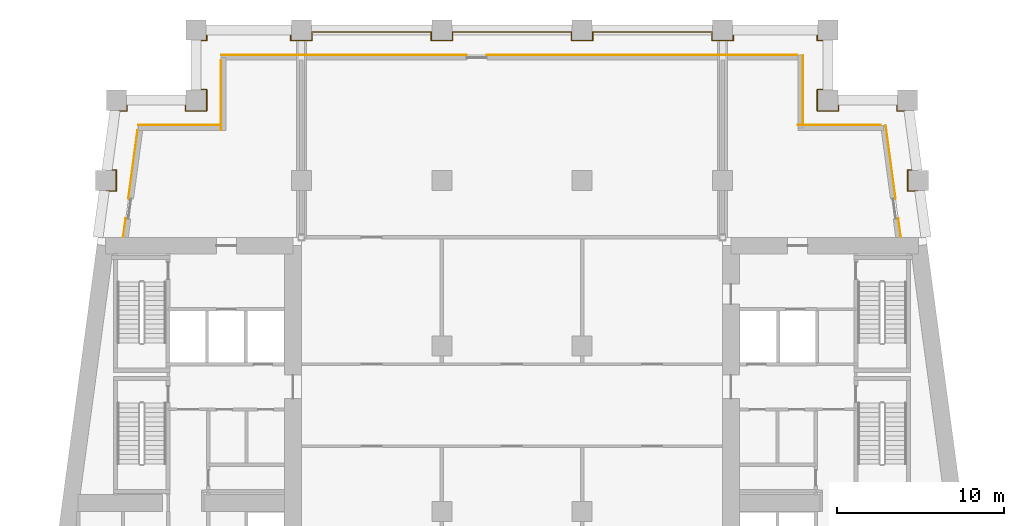
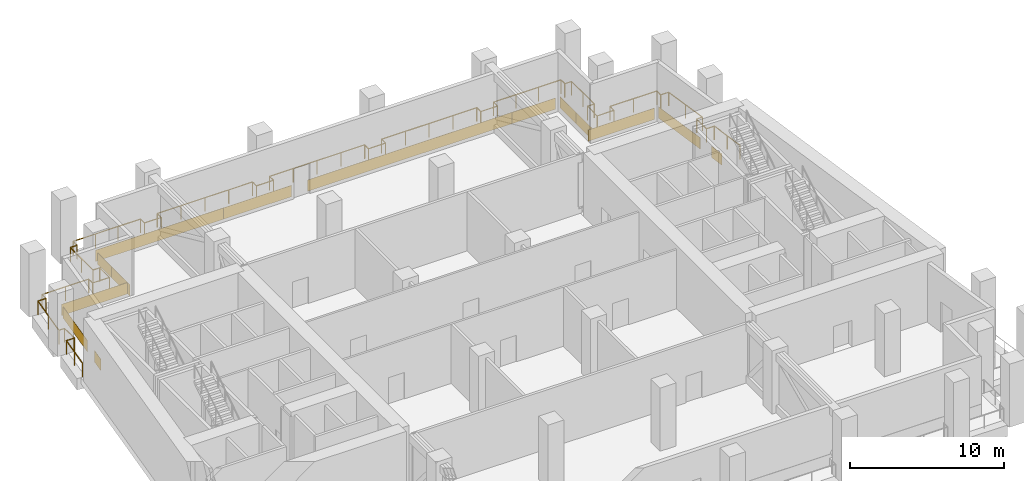
# One storey, part 11 of 11: 14 coverings, 1 railing.
"""IFC4 building model written with IfcOpenShell, lengths in metres."""

import ifcopenshell
import ifcopenshell.guid

model = None  # the IFC model being written
_history = None  # IfcOwnerHistory: only IFC2X3 demands one
_inside = {}  # id of a spatial element -> (the spatial element, [elements in it])
_under = {}  # id of a project, library or spatial element -> (it, [spatial elements below it])
_declared = {}  # id of a project -> (the project, [libraries it declares])
_typed = {}  # id of a type object -> (the type object, [elements of that type])
_made_of = {}  # id of a material, layer set ... -> (it, [elements and type objects made of it])


def new_model(schema):
    """Start an empty IFC model of exactly this schema.

    Asked for "IFC4X3", IfcOpenShell would pick the latest addendum, in which some entities
    have other attributes; the version numbers below select the first issue.
    IFC2X3 requires an IfcOwnerHistory on every rooted entity: one is made here for all.
    """
    global model, _history
    if schema == "IFC4X3":
        model = ifcopenshell.file(schema_version=(4, 3, 0, 0))
    else:
        model = ifcopenshell.file(schema=schema)
    _inside.clear()
    _under.clear()
    _declared.clear()
    _typed.clear()
    _made_of.clear()
    _history = None
    if model.schema == "IFC2X3":
        org = make("IfcOrganization", Name="unknown")
        user = make(
            "IfcPersonAndOrganization",
            ThePerson=make("IfcPerson", FamilyName="unknown"),
            TheOrganization=org,
        )
        app = make(
            "IfcApplication",
            ApplicationDeveloper=org,
            Version="unknown",
            ApplicationFullName="unknown",
            ApplicationIdentifier="unknown",
        )
        _history = make(
            "IfcOwnerHistory",
            OwningUser=user,
            OwningApplication=app,
            ChangeAction="ADDED",
            CreationDate=0,
        )
    return model


def make(cls, **values):
    """One entity of the class cls with the attributes given. An attribute that is None is left unset."""
    return model.create_entity(
        cls, **{name: value for name, value in values.items() if value is not None}
    )


def rooted(cls, **values):
    """An entity with a GlobalId (a new one), such as an element, a storey or a relation."""
    return make(cls, GlobalId=ifcopenshell.guid.new(), OwnerHistory=_history, **values)


def si_unit(unit_type, name, prefix=None):
    """IfcSIUnit, for example si_unit("LENGTHUNIT", "METRE", prefix="MILLI")."""
    return make("IfcSIUnit", UnitType=unit_type, Prefix=prefix, Name=name)


def assignment(units):
    """IfcUnitAssignment: the units of a project."""
    return None if units is None else make("IfcUnitAssignment", Units=units)


def point(xyz):
    """IfcCartesianPoint."""
    return None if xyz is None else make("IfcCartesianPoint", Coordinates=xyz)


def direction(xyz):
    """IfcDirection."""
    return None if xyz is None else make("IfcDirection", DirectionRatios=xyz)


def frame(location, z_axis=None, x_axis=None):
    """IfcAxis2Placement3D, a coordinate frame: its origin and axes. An axis left out is left unset."""
    return make(
        "IfcAxis2Placement3D",
        Location=point(location),
        Axis=direction(z_axis),
        RefDirection=direction(x_axis),
    )


def frame_2d(location, x_axis=None):
    """IfcAxis2Placement2D, a coordinate frame in the plane: its origin and x axis."""
    return make(
        "IfcAxis2Placement2D", Location=point(location), RefDirection=direction(x_axis)
    )


def origin():
    """The frame at (0, 0, 0) with its axes left unset."""
    return frame((0.0, 0.0, 0.0))


def origin_2d():
    """The frame at (0, 0) in the plane with its x axis left unset."""
    return frame_2d((0.0, 0.0))


def place(relative_to, where):
    """IfcLocalPlacement: puts the frame where relative to a parent placement (None: the world)."""
    return make(
        "IfcLocalPlacement", PlacementRelTo=relative_to, RelativePlacement=where
    )


def context(
    kind, dimensions, precision=None, world=None, true_north=None, identifier=None
):
    """IfcGeometricRepresentationContext, for example the 3D "Model" context."""
    return make(
        "IfcGeometricRepresentationContext",
        ContextIdentifier=identifier,
        ContextType=kind,
        CoordinateSpaceDimension=dimensions,
        Precision=precision,
        WorldCoordinateSystem=world,
        TrueNorth=true_north,
    )


def subcontext(parent, identifier, kind, view, scale=None):
    """IfcGeometricRepresentationSubContext, for example "Body" below "Model"."""
    return make(
        "IfcGeometricRepresentationSubContext",
        ContextIdentifier=identifier,
        ContextType=kind,
        ParentContext=parent,
        TargetScale=scale,
        TargetView=view,
    )


def project(units=None, contexts=None):
    """IfcProject with its units and contexts."""
    return rooted(
        "IfcProject",
        Name="project",
        RepresentationContexts=contexts,
        UnitsInContext=assignment(units),
    )


def spatial(cls, under=None, at=None, **own):
    """A site, building, storey or space (cls), placed at a placement, below another one or the project."""
    s = rooted(cls, ObjectPlacement=at, **own)
    if under is not None:
        _under.setdefault(under.id(), (under, []))[1].append(s)
    return s


def profile(cls, at=None, kind="AREA", **sizes):
    """A parametric profile (cls). Its sizes go by their IFC names, for example OverallWidth=200.0."""
    return make(cls, ProfileType=kind, Position=at, **sizes)


def rectangle(**sizes):
    """IfcRectangleProfileDef."""
    return profile("IfcRectangleProfileDef", **sizes)


def circle(**sizes):
    """IfcCircleProfileDef."""
    return profile("IfcCircleProfileDef", **sizes)


def extrude(swept, where, along, depth):
    """IfcExtrudedAreaSolid: the profile swept, set in the frame where, extruded along a direction by depth."""
    return make(
        "IfcExtrudedAreaSolid",
        SweptArea=swept,
        Position=where,
        ExtrudedDirection=direction(along),
        Depth=depth,
    )


def shape(context_of_items, identifier, shape_type, items):
    """IfcShapeRepresentation: the items that make up one representation, for example the "Body"."""
    return make(
        "IfcShapeRepresentation",
        ContextOfItems=context_of_items,
        RepresentationIdentifier=identifier,
        RepresentationType=shape_type,
        Items=items,
    )


def material(Name=None, Category=None):
    """IfcMaterial."""
    return make("IfcMaterial", Name=Name, Category=Category)


def layer(
    of_material, thickness, ventilated=None, Name=None, Category=None, Priority=None
):
    """IfcMaterialLayer: one layer of a wall or slab, of a material (None: an air gap)."""
    return make(
        "IfcMaterialLayer",
        Material=of_material,
        LayerThickness=thickness,
        IsVentilated=ventilated,
        Name=Name,
        Category=Category,
        Priority=Priority,
    )


def layer_set(layers, Name=None):
    """IfcMaterialLayerSet."""
    return make("IfcMaterialLayerSet", MaterialLayers=layers, LayerSetName=Name)


def made_of(thing, what):
    """Note that an element or type object is made of a material, layer set ...; save() writes the relation."""
    if what is not None:
        _made_of.setdefault(what.id(), (what, []))[1].append(thing)
    return thing


def type_object(cls, material=None, **own):
    """A type object (cls), such as IfcWallType, which elements share."""
    return made_of(rooted(cls, **own), material)


def element(
    cls,
    number,
    at=None,
    inside=None,
    cuts=None,
    type_object=None,
    material=None,
    context=None,
    identifier="Body",
    shape_type=None,
    held_by="IfcProductDefinitionShape",
    body=None,
    shapes=None,
    **own,
):
    """One element of the class cls, such as IfcWall. Its Tag is "e" and its number.

    at: its placement. inside: the storey or other place that contains it. cuts: it is an
    opening in that element (IfcRelVoidsElement). A single representation is given by context,
    identifier, shape_type and body (its items); several are given by shapes. held_by: the class
    of the entity that holds the representations. save() writes the other relations.
    """
    e = rooted(cls, Tag="e%d" % number, ObjectPlacement=at, **own)
    if body is not None:
        shapes = [shape(context, identifier, shape_type, body)]
    if shapes is not None:
        e.Representation = make(held_by, Representations=shapes)
    if inside is not None:
        _inside.setdefault(inside.id(), (inside, []))[1].append(e)
    if cuts is not None:
        rooted(
            "IfcRelVoidsElement", RelatingBuildingElement=cuts, RelatedOpeningElement=e
        )
    if type_object is not None:
        _typed.setdefault(type_object.id(), (type_object, []))[1].append(e)
    return made_of(e, material)


def aggregate(whole, parts):
    """IfcRelAggregates: a whole, such as a stair, and the parts it consists of."""
    return rooted("IfcRelAggregates", RelatingObject=whole, RelatedObjects=parts)


def save(model, path):
    """Write the relations noted so far, then the file.

    IfcRelAggregates (storeys below a building ...), IfcRelContainedInSpatialStructure (elements
    in a storey), IfcRelDefinesByType, IfcRelAssociatesMaterial and IfcRelDeclares: one each for
    every whole, place, type object, material and project.
    """
    for whole, parts in _under.values():
        aggregate(whole, parts)
    for where, things in _inside.values():
        rooted(
            "IfcRelContainedInSpatialStructure",
            RelatedElements=things,
            RelatingStructure=where,
        )
    for kind, things in _typed.values():
        rooted("IfcRelDefinesByType", RelatedObjects=things, RelatingType=kind)
    for what, things in _made_of.values():
        rooted("IfcRelAssociatesMaterial", RelatedObjects=things, RelatingMaterial=what)
    for by, libraries in _declared.values():
        rooted("IfcRelDeclares", RelatingContext=by, RelatedDefinitions=libraries)
    model.write(path)


model = new_model("IFC4")

# Units and contexts
model_context = context("Model", 3, precision=1e-05, world=origin(), true_north=direction((0.0, 1.0)))
body_context = subcontext(model_context, "Body", "Model", "MODEL_VIEW")
ifc_project = project(units=[si_unit("LENGTHUNIT", "METRE"), si_unit("AREAUNIT", "SQUARE_METRE"), si_unit("VOLUMEUNIT", "CUBIC_METRE"), si_unit("PLANEANGLEUNIT", "RADIAN"), si_unit("MASSUNIT", "GRAM", prefix="KILO")], contexts=[model_context])

# Site, building, storey
site_placement = place(None, origin())
site = spatial("IfcSite", under=ifc_project, at=site_placement, CompositionType="ELEMENT")
building_placement = place(site_placement, origin())
building = spatial("IfcBuilding", under=site, at=building_placement, Name="Candeia Pilgrim Tower and Theatre", CompositionType="ELEMENT")
storey_placement = place(building_placement, frame((0.0, 0.0, 142.800048828125)))
storey = spatial("IfcBuildingStorey", under=building, at=storey_placement, Name="L33", CompositionType="ELEMENT", Elevation=142.800048828125)

# Railing
ifc_material_1 = material(Name="Stainless steel balustrade", Category="steel")
railing_type = type_object("IfcRailingType", Name="G1 loggia guard 1100", PredefinedType="GUARDRAIL", material=ifc_material_1)
railing_placement = place(storey_placement, frame((88.758544921875, 132.449951171875, 0.0)))
element("IfcRailing", 1, at=railing_placement, inside=storey, type_object=railing_type, Name="Guard L33.2", PredefinedType="GUARDRAIL", context=body_context, shape_type="SweptSolid", body=[
    extrude(circle(Radius=0.02392578125, at=origin_2d()), frame((0.0, 0.0, 1.076171875), z_axis=(0.133433855259, 0.991057720958, 0.0), x_axis=(-0.991057720958, 0.133433855259, 0.0)), (0.0, 0.0, 1.0), 2.74462890625),
    extrude(circle(Radius=0.02392578125, at=origin_2d()), frame((0.3662109375, 2.719970703125, 1.076171875), z_axis=(1.0, 0.0, 0.0), x_axis=(0.0, 1.0, 0.0)), (0.0, 0.0, 1.0), 0.59375),
    extrude(circle(Radius=0.02392578125, at=origin_2d()), frame((0.9599609375, 2.719970703125, 1.076171875), z_axis=(0.0, 1.0, 0.0), x_axis=(-1.0, 0.0, 0.0)), (0.0, 0.0, 1.0), 1.260009765625),
    extrude(circle(Radius=0.02392578125, at=origin_2d()), frame((0.9599609375, 3.97998046875, 1.076171875), z_axis=(-1.0, 0.0, 0.0), x_axis=(0.0, -1.0, 0.0)), (0.0, 0.0, 1.0), 0.424072265625),
    extrude(circle(Radius=0.02392578125, at=origin_2d()), frame((0.535888671875, 3.97998046875, 1.076171875), z_axis=(0.133417176173, 0.991059966451, 0.0), x_axis=(-0.991059966451, 0.133417176173, 0.0)), (0.0, 0.0, 1.0), 3.572021484375),
    extrude(circle(Radius=0.02392578125, at=origin_2d()), frame((1.012451171875, 7.52001953125, 1.076171875), z_axis=(1.0, 0.0, 0.0), x_axis=(0.0, 1.0, 0.0)), (0.0, 0.0, 1.0), 0.593505859375),
    extrude(circle(Radius=0.02392578125, at=origin_2d()), frame((1.60595703125, 7.52001953125, 1.076171875), z_axis=(0.0, 1.0, 0.0), x_axis=(-1.0, 0.0, 0.0)), (0.0, 0.0, 1.0), 0.510009765625),
    extrude(circle(Radius=0.02392578125, at=origin_2d()), frame((1.60595703125, 8.030029296875, 1.076171875), z_axis=(1.0, 0.0, 0.0), x_axis=(0.0, 1.0, 0.0)), (0.0, 0.0, 1.0), 3.505615234375),
    extrude(circle(Radius=0.02392578125, at=origin_2d()), frame((5.111572265625, 8.030029296875, 1.076171875), z_axis=(0.0, -1.0, 0.0), x_axis=(1.0, 0.0, 0.0)), (0.0, 0.0, 1.0), 0.510009765625),
    extrude(circle(Radius=0.02392578125, at=origin_2d()), frame((5.111572265625, 7.52001953125, 1.076171875), z_axis=(1.0, 0.0, 0.0), x_axis=(0.0, 1.0, 0.0)), (0.0, 0.0, 1.0), 1.259765625),
    extrude(circle(Radius=0.02392578125, at=origin_2d()), frame((6.371337890625, 7.52001953125, 1.076171875), z_axis=(0.0, 1.0, 0.0), x_axis=(-1.0, 0.0, 0.0)), (0.0, 0.0, 1.0), 1.260009765625),
    extrude(circle(Radius=0.02392578125, at=origin_2d()), frame((6.371337890625, 8.780029296875, 1.076171875), z_axis=(-1.0, 0.0, 0.0), x_axis=(0.0, -1.0, 0.0)), (0.0, 0.0, 1.0), 0.509765625),
    extrude(circle(Radius=0.02392578125, at=origin_2d()), frame((5.861572265625, 8.780029296875, 1.076171875), z_axis=(0.0, 1.0, 0.0), x_axis=(-1.0, 0.0, 0.0)), (0.0, 0.0, 1.0), 2.93994140625),
    extrude(circle(Radius=0.02392578125, at=origin_2d()), frame((5.861572265625, 11.719970703125, 1.076171875), z_axis=(1.0, 0.0, 0.0), x_axis=(0.0, 1.0, 0.0)), (0.0, 0.0, 1.0), 0.509765625),
    extrude(circle(Radius=0.02392578125, at=origin_2d()), frame((6.371337890625, 11.719970703125, 1.076171875), z_axis=(0.0, 1.0, 0.0), x_axis=(-1.0, 0.0, 0.0)), (0.0, 0.0, 1.0), 0.510009765625),
    extrude(circle(Radius=0.02392578125, at=origin_2d()), frame((6.371337890625, 12.22998046875, 1.076171875), z_axis=(1.0, 0.0, 0.0), x_axis=(0.0, 1.0, 0.0)), (0.0, 0.0, 1.0), 5.0400390625),
    extrude(circle(Radius=0.02392578125, at=origin_2d()), frame((11.411376953125, 12.22998046875, 1.076171875), z_axis=(0.0, -1.0, 0.0), x_axis=(1.0, 0.0, 0.0)), (0.0, 0.0, 1.0), 0.510009765625),
    extrude(circle(Radius=0.02392578125, at=origin_2d()), frame((11.411376953125, 11.719970703125, 1.076171875), z_axis=(1.0, 0.0, 0.0), x_axis=(0.0, 1.0, 0.0)), (0.0, 0.0, 1.0), 1.260009765625),
    extrude(circle(Radius=0.02392578125, at=origin_2d()), frame((12.67138671875, 11.719970703125, 1.076171875), z_axis=(0.0, 1.0, 0.0), x_axis=(-1.0, 0.0, 0.0)), (0.0, 0.0, 1.0), 0.510009765625),
    extrude(circle(Radius=0.02392578125, at=origin_2d()), frame((12.67138671875, 12.22998046875, 1.076171875), z_axis=(1.0, 0.0, 0.0), x_axis=(0.0, 1.0, 0.0)), (0.0, 0.0, 1.0), 7.14013671875),
    extrude(circle(Radius=0.02392578125, at=origin_2d()), frame((19.8115234375, 12.22998046875, 1.076171875), z_axis=(0.0, -1.0, 0.0), x_axis=(1.0, 0.0, 0.0)), (0.0, 0.0, 1.0), 0.510009765625),
    extrude(circle(Radius=0.02392578125, at=origin_2d()), frame((19.8115234375, 11.719970703125, 1.076171875), z_axis=(1.0, 0.0, 0.0), x_axis=(0.0, 1.0, 0.0)), (0.0, 0.0, 1.0), 1.260009765625),
    extrude(circle(Radius=0.02392578125, at=origin_2d()), frame((21.071533203125, 11.719970703125, 1.076171875), z_axis=(0.0, 1.0, 0.0), x_axis=(-1.0, 0.0, 0.0)), (0.0, 0.0, 1.0), 0.510009765625),
    extrude(circle(Radius=0.02392578125, at=origin_2d()), frame((21.071533203125, 12.22998046875, 1.076171875), z_axis=(1.0, 0.0, 0.0), x_axis=(0.0, 1.0, 0.0)), (0.0, 0.0, 1.0), 7.139892578125),
    extrude(circle(Radius=0.02392578125, at=origin_2d()), frame((28.21142578125, 12.22998046875, 1.076171875), z_axis=(0.0, -1.0, 0.0), x_axis=(1.0, 0.0, 0.0)), (0.0, 0.0, 1.0), 0.510009765625),
    extrude(circle(Radius=0.02392578125, at=origin_2d()), frame((28.21142578125, 11.719970703125, 1.076171875), z_axis=(1.0, 0.0, 0.0), x_axis=(0.0, 1.0, 0.0)), (0.0, 0.0, 1.0), 1.260009765625),
    extrude(circle(Radius=0.02392578125, at=origin_2d()), frame((29.471435546875, 11.719970703125, 1.076171875), z_axis=(0.0, 1.0, 0.0), x_axis=(-1.0, 0.0, 0.0)), (0.0, 0.0, 1.0), 0.510009765625),
    extrude(circle(Radius=0.02392578125, at=origin_2d()), frame((29.471435546875, 12.22998046875, 1.076171875), z_axis=(1.0, 0.0, 0.0), x_axis=(0.0, 1.0, 0.0)), (0.0, 0.0, 1.0), 7.14013671875),
    extrude(circle(Radius=0.02392578125, at=origin_2d()), frame((36.611572265625, 12.22998046875, 1.076171875), z_axis=(0.0, -1.0, 0.0), x_axis=(1.0, 0.0, 0.0)), (0.0, 0.0, 1.0), 0.510009765625),
    extrude(circle(Radius=0.02392578125, at=origin_2d()), frame((36.611572265625, 11.719970703125, 1.076171875), z_axis=(1.0, 0.0, 0.0), x_axis=(0.0, 1.0, 0.0)), (0.0, 0.0, 1.0), 1.259765625),
    extrude(circle(Radius=0.02392578125, at=origin_2d()), frame((37.871337890625, 11.719970703125, 1.076171875), z_axis=(0.0, 1.0, 0.0), x_axis=(-1.0, 0.0, 0.0)), (0.0, 0.0, 1.0), 0.510009765625),
    extrude(circle(Radius=0.02392578125, at=origin_2d()), frame((37.871337890625, 12.22998046875, 1.076171875), z_axis=(1.0, 0.0, 0.0), x_axis=(0.0, 1.0, 0.0)), (0.0, 0.0, 1.0), 5.0400390625),
    extrude(circle(Radius=0.02392578125, at=origin_2d()), frame((42.911376953125, 12.22998046875, 1.076171875), z_axis=(0.0, -1.0, 0.0), x_axis=(1.0, 0.0, 0.0)), (0.0, 0.0, 1.0), 0.510009765625),
    extrude(circle(Radius=0.02392578125, at=origin_2d()), frame((42.911376953125, 11.719970703125, 1.076171875), z_axis=(1.0, 0.0, 0.0), x_axis=(0.0, 1.0, 0.0)), (0.0, 0.0, 1.0), 0.510009765625),
    extrude(circle(Radius=0.02392578125, at=origin_2d()), frame((43.42138671875, 11.719970703125, 1.076171875), z_axis=(0.0, -1.0, 0.0), x_axis=(1.0, 0.0, 0.0)), (0.0, 0.0, 1.0), 2.93994140625),
    extrude(circle(Radius=0.02392578125, at=origin_2d()), frame((43.42138671875, 8.780029296875, 1.076171875), z_axis=(-1.0, 0.0, 0.0), x_axis=(0.0, -1.0, 0.0)), (0.0, 0.0, 1.0), 0.510009765625),
    extrude(circle(Radius=0.02392578125, at=origin_2d()), frame((42.911376953125, 8.780029296875, 1.076171875), z_axis=(0.0, -1.0, 0.0), x_axis=(1.0, 0.0, 0.0)), (0.0, 0.0, 1.0), 1.260009765625),
    extrude(circle(Radius=0.02392578125, at=origin_2d()), frame((42.911376953125, 7.52001953125, 1.076171875), z_axis=(1.0, 0.0, 0.0), x_axis=(0.0, 1.0, 0.0)), (0.0, 0.0, 1.0), 1.260009765625),
    extrude(circle(Radius=0.02392578125, at=origin_2d()), frame((44.17138671875, 7.52001953125, 1.076171875), z_axis=(0.0, 1.0, 0.0), x_axis=(-1.0, 0.0, 0.0)), (0.0, 0.0, 1.0), 0.510009765625),
    extrude(circle(Radius=0.02392578125, at=origin_2d()), frame((44.17138671875, 8.030029296875, 1.076171875), z_axis=(1.0, 0.0, 0.0), x_axis=(0.0, 1.0, 0.0)), (0.0, 0.0, 1.0), 3.50537109375),
    extrude(circle(Radius=0.02392578125, at=origin_2d()), frame((47.6767578125, 8.030029296875, 1.076171875), z_axis=(0.0, -1.0, 0.0), x_axis=(1.0, 0.0, 0.0)), (0.0, 0.0, 1.0), 0.510009765625),
    extrude(circle(Radius=0.02392578125, at=origin_2d()), frame((47.6767578125, 7.52001953125, 1.076171875), z_axis=(1.0, 0.0, 0.0), x_axis=(0.0, 1.0, 0.0)), (0.0, 0.0, 1.0), 0.59375),
    extrude(circle(Radius=0.02392578125, at=origin_2d()), frame((48.2705078125, 7.52001953125, 1.076171875), z_axis=(0.133417176173, -0.991059966451, 0.0), x_axis=(0.991059966451, 0.133417176173, 0.0)), (0.0, 0.0, 1.0), 3.572021484375),
    extrude(circle(Radius=0.02392578125, at=origin_2d()), frame((48.7470703125, 3.97998046875, 1.076171875), z_axis=(-1.0, 0.0, 0.0), x_axis=(0.0, -1.0, 0.0)), (0.0, 0.0, 1.0), 0.424072265625),
    extrude(circle(Radius=0.02392578125, at=origin_2d()), frame((48.322998046875, 3.97998046875, 1.076171875), z_axis=(0.0, -1.0, 0.0), x_axis=(1.0, 0.0, 0.0)), (0.0, 0.0, 1.0), 1.260009765625),
    extrude(circle(Radius=0.02392578125, at=origin_2d()), frame((48.322998046875, 2.719970703125, 1.076171875), z_axis=(1.0, 0.0, 0.0), x_axis=(0.0, 1.0, 0.0)), (0.0, 0.0, 1.0), 0.59375),
    extrude(circle(Radius=0.02392578125, at=origin_2d()), frame((48.916748046875, 2.719970703125, 1.076171875), z_axis=(0.133433855259, -0.991057720958, 0.0), x_axis=(0.991057720958, 0.133433855259, 0.0)), (0.0, 0.0, 1.0), 2.74462890625),
    extrude(circle(Radius=0.02099609375, at=origin_2d()), origin(), (0.0, 0.0, 1.0), 1.052001953125),
    extrude(circle(Radius=0.02099609375, at=origin_2d()), frame((0.18310546875, 1.35986328125, 0.0)), (0.0, 0.0, 1.0), 1.052001953125),
    extrude(circle(Radius=0.02099609375, at=origin_2d()), frame((0.3662109375, 2.719970703125, 0.0)), (0.0, 0.0, 1.0), 1.052001953125),
    extrude(circle(Radius=0.02099609375, at=origin_2d()), frame((0.9599609375, 2.719970703125, 0.0)), (0.0, 0.0, 1.0), 1.052001953125),
    extrude(circle(Radius=0.02099609375, at=origin_2d()), frame((0.9599609375, 3.97998046875, 0.0)), (0.0, 0.0, 1.0), 1.052001953125),
    extrude(circle(Radius=0.02099609375, at=origin_2d()), frame((0.535888671875, 3.97998046875, 0.0)), (0.0, 0.0, 1.0), 1.052001953125),
    extrude(circle(Radius=0.02099609375, at=origin_2d()), frame((0.774169921875, 5.75, 0.0)), (0.0, 0.0, 1.0), 1.052001953125),
    extrude(circle(Radius=0.02099609375, at=origin_2d()), frame((1.012451171875, 7.52001953125, 0.0)), (0.0, 0.0, 1.0), 1.052001953125),
    extrude(circle(Radius=0.02099609375, at=origin_2d()), frame((1.60595703125, 7.52001953125, 0.0)), (0.0, 0.0, 1.0), 1.052001953125),
    extrude(circle(Radius=0.02099609375, at=origin_2d()), frame((1.60595703125, 8.030029296875, 0.0)), (0.0, 0.0, 1.0), 1.052001953125),
    extrude(circle(Radius=0.02099609375, at=origin_2d()), frame((3.35888671875, 8.030029296875, 0.0)), (0.0, 0.0, 1.0), 1.052001953125),
    extrude(circle(Radius=0.02099609375, at=origin_2d()), frame((5.111572265625, 8.030029296875, 0.0)), (0.0, 0.0, 1.0), 1.052001953125),
    extrude(circle(Radius=0.02099609375, at=origin_2d()), frame((5.111572265625, 7.52001953125, 0.0)), (0.0, 0.0, 1.0), 1.052001953125),
    extrude(circle(Radius=0.02099609375, at=origin_2d()), frame((6.371337890625, 7.52001953125, 0.0)), (0.0, 0.0, 1.0), 1.052001953125),
    extrude(circle(Radius=0.02099609375, at=origin_2d()), frame((6.371337890625, 8.780029296875, 0.0)), (0.0, 0.0, 1.0), 1.052001953125),
    extrude(circle(Radius=0.02099609375, at=origin_2d()), frame((5.861572265625, 8.780029296875, 0.0)), (0.0, 0.0, 1.0), 1.052001953125),
    extrude(circle(Radius=0.02099609375, at=origin_2d()), frame((5.861572265625, 10.25, 0.0)), (0.0, 0.0, 1.0), 1.052001953125),
    extrude(circle(Radius=0.02099609375, at=origin_2d()), frame((5.861572265625, 11.719970703125, 0.0)), (0.0, 0.0, 1.0), 1.052001953125),
    extrude(circle(Radius=0.02099609375, at=origin_2d()), frame((6.371337890625, 11.719970703125, 0.0)), (0.0, 0.0, 1.0), 1.052001953125),
    extrude(circle(Radius=0.02099609375, at=origin_2d()), frame((6.371337890625, 12.22998046875, 0.0)), (0.0, 0.0, 1.0), 1.052001953125),
    extrude(circle(Radius=0.02099609375, at=origin_2d()), frame((8.05126953125, 12.22998046875, 0.0)), (0.0, 0.0, 1.0), 1.052001953125),
    extrude(circle(Radius=0.02099609375, at=origin_2d()), frame((9.7314453125, 12.22998046875, 0.0)), (0.0, 0.0, 1.0), 1.052001953125),
    extrude(circle(Radius=0.02099609375, at=origin_2d()), frame((11.411376953125, 12.22998046875, 0.0)), (0.0, 0.0, 1.0), 1.052001953125),
    extrude(circle(Radius=0.02099609375, at=origin_2d()), frame((11.411376953125, 11.719970703125, 0.0)), (0.0, 0.0, 1.0), 1.052001953125),
    extrude(circle(Radius=0.02099609375, at=origin_2d()), frame((12.67138671875, 11.719970703125, 0.0)), (0.0, 0.0, 1.0), 1.052001953125),
    extrude(circle(Radius=0.02099609375, at=origin_2d()), frame((12.67138671875, 12.22998046875, 0.0)), (0.0, 0.0, 1.0), 1.052001953125),
    extrude(circle(Radius=0.02099609375, at=origin_2d()), frame((14.45654296875, 12.22998046875, 0.0)), (0.0, 0.0, 1.0), 1.052001953125),
    extrude(circle(Radius=0.02099609375, at=origin_2d()), frame((16.241455078125, 12.22998046875, 0.0)), (0.0, 0.0, 1.0), 1.052001953125),
    extrude(circle(Radius=0.02099609375, at=origin_2d()), frame((18.0263671875, 12.22998046875, 0.0)), (0.0, 0.0, 1.0), 1.052001953125),
    extrude(circle(Radius=0.02099609375, at=origin_2d()), frame((19.8115234375, 12.22998046875, 0.0)), (0.0, 0.0, 1.0), 1.052001953125),
    extrude(circle(Radius=0.02099609375, at=origin_2d()), frame((19.8115234375, 11.719970703125, 0.0)), (0.0, 0.0, 1.0), 1.052001953125),
    extrude(circle(Radius=0.02099609375, at=origin_2d()), frame((21.071533203125, 11.719970703125, 0.0)), (0.0, 0.0, 1.0), 1.052001953125),
    extrude(circle(Radius=0.02099609375, at=origin_2d()), frame((21.071533203125, 12.22998046875, 0.0)), (0.0, 0.0, 1.0), 1.052001953125),
    extrude(circle(Radius=0.02099609375, at=origin_2d()), frame((22.8564453125, 12.22998046875, 0.0)), (0.0, 0.0, 1.0), 1.052001953125),
    extrude(circle(Radius=0.02099609375, at=origin_2d()), frame((24.6416015625, 12.22998046875, 0.0)), (0.0, 0.0, 1.0), 1.052001953125),
    extrude(circle(Radius=0.02099609375, at=origin_2d()), frame((26.426513671875, 12.22998046875, 0.0)), (0.0, 0.0, 1.0), 1.052001953125),
    extrude(circle(Radius=0.02099609375, at=origin_2d()), frame((28.21142578125, 12.22998046875, 0.0)), (0.0, 0.0, 1.0), 1.052001953125),
    extrude(circle(Radius=0.02099609375, at=origin_2d()), frame((28.21142578125, 11.719970703125, 0.0)), (0.0, 0.0, 1.0), 1.052001953125),
    extrude(circle(Radius=0.02099609375, at=origin_2d()), frame((29.471435546875, 11.719970703125, 0.0)), (0.0, 0.0, 1.0), 1.052001953125),
    extrude(circle(Radius=0.02099609375, at=origin_2d()), frame((29.471435546875, 12.22998046875, 0.0)), (0.0, 0.0, 1.0), 1.052001953125),
    extrude(circle(Radius=0.02099609375, at=origin_2d()), frame((31.25634765625, 12.22998046875, 0.0)), (0.0, 0.0, 1.0), 1.052001953125),
    extrude(circle(Radius=0.02099609375, at=origin_2d()), frame((33.04150390625, 12.22998046875, 0.0)), (0.0, 0.0, 1.0), 1.052001953125),
    extrude(circle(Radius=0.02099609375, at=origin_2d()), frame((34.82666015625, 12.22998046875, 0.0)), (0.0, 0.0, 1.0), 1.052001953125),
    extrude(circle(Radius=0.02099609375, at=origin_2d()), frame((36.611572265625, 12.22998046875, 0.0)), (0.0, 0.0, 1.0), 1.052001953125),
    extrude(circle(Radius=0.02099609375, at=origin_2d()), frame((36.611572265625, 11.719970703125, 0.0)), (0.0, 0.0, 1.0), 1.052001953125),
    extrude(circle(Radius=0.02099609375, at=origin_2d()), frame((37.871337890625, 11.719970703125, 0.0)), (0.0, 0.0, 1.0), 1.052001953125),
    extrude(circle(Radius=0.02099609375, at=origin_2d()), frame((37.871337890625, 12.22998046875, 0.0)), (0.0, 0.0, 1.0), 1.052001953125),
    extrude(circle(Radius=0.02099609375, at=origin_2d()), frame((39.55126953125, 12.22998046875, 0.0)), (0.0, 0.0, 1.0), 1.052001953125),
    extrude(circle(Radius=0.02099609375, at=origin_2d()), frame((41.2314453125, 12.22998046875, 0.0)), (0.0, 0.0, 1.0), 1.052001953125),
    extrude(circle(Radius=0.02099609375, at=origin_2d()), frame((42.911376953125, 12.22998046875, 0.0)), (0.0, 0.0, 1.0), 1.052001953125),
    extrude(circle(Radius=0.02099609375, at=origin_2d()), frame((42.911376953125, 11.719970703125, 0.0)), (0.0, 0.0, 1.0), 1.052001953125),
    extrude(circle(Radius=0.02099609375, at=origin_2d()), frame((43.42138671875, 11.719970703125, 0.0)), (0.0, 0.0, 1.0), 1.052001953125),
    extrude(circle(Radius=0.02099609375, at=origin_2d()), frame((43.42138671875, 10.25, 0.0)), (0.0, 0.0, 1.0), 1.052001953125),
    extrude(circle(Radius=0.02099609375, at=origin_2d()), frame((43.42138671875, 8.780029296875, 0.0)), (0.0, 0.0, 1.0), 1.052001953125),
    extrude(circle(Radius=0.02099609375, at=origin_2d()), frame((42.911376953125, 8.780029296875, 0.0)), (0.0, 0.0, 1.0), 1.052001953125),
    extrude(circle(Radius=0.02099609375, at=origin_2d()), frame((42.911376953125, 7.52001953125, 0.0)), (0.0, 0.0, 1.0), 1.052001953125),
    extrude(circle(Radius=0.02099609375, at=origin_2d()), frame((44.17138671875, 7.52001953125, 0.0)), (0.0, 0.0, 1.0), 1.052001953125),
    extrude(circle(Radius=0.02099609375, at=origin_2d()), frame((44.17138671875, 8.030029296875, 0.0)), (0.0, 0.0, 1.0), 1.052001953125),
    extrude(circle(Radius=0.02099609375, at=origin_2d()), frame((45.924072265625, 8.030029296875, 0.0)), (0.0, 0.0, 1.0), 1.052001953125),
    extrude(circle(Radius=0.02099609375, at=origin_2d()), frame((47.6767578125, 8.030029296875, 0.0)), (0.0, 0.0, 1.0), 1.052001953125),
    extrude(circle(Radius=0.02099609375, at=origin_2d()), frame((47.6767578125, 7.52001953125, 0.0)), (0.0, 0.0, 1.0), 1.052001953125),
    extrude(circle(Radius=0.02099609375, at=origin_2d()), frame((48.2705078125, 7.52001953125, 0.0)), (0.0, 0.0, 1.0), 1.052001953125),
    extrude(circle(Radius=0.02099609375, at=origin_2d()), frame((48.5087890625, 5.75, 0.0)), (0.0, 0.0, 1.0), 1.052001953125),
    extrude(circle(Radius=0.02099609375, at=origin_2d()), frame((48.7470703125, 3.97998046875, 0.0)), (0.0, 0.0, 1.0), 1.052001953125),
    extrude(circle(Radius=0.02099609375, at=origin_2d()), frame((48.322998046875, 3.97998046875, 0.0)), (0.0, 0.0, 1.0), 1.052001953125),
    extrude(circle(Radius=0.02099609375, at=origin_2d()), frame((48.322998046875, 2.719970703125, 0.0)), (0.0, 0.0, 1.0), 1.052001953125),
    extrude(circle(Radius=0.02099609375, at=origin_2d()), frame((48.916748046875, 2.719970703125, 0.0)), (0.0, 0.0, 1.0), 1.052001953125),
    extrude(circle(Radius=0.02099609375, at=origin_2d()), frame((49.099853515625, 1.35986328125, 0.0)), (0.0, 0.0, 1.0), 1.052001953125),
    extrude(circle(Radius=0.02099609375, at=origin_2d()), frame((49.282958984375, 0.0, 0.0)), (0.0, 0.0, 1.0), 1.052001953125),
])

# Coverings
ifc_material_2 = material(Name="Glazed ceramic tile red")
ifc_layer_1 = layer(ifc_material_2, 0.02001953125)
ifc_layer_set_1 = layer_set([ifc_layer_1], Name="Glazed ceramic tile red")
covering_type_1 = type_object("IfcCoveringType", Name="Glazed ceramic tile red", PredefinedType="CLADDING", material=ifc_layer_set_1)
covering_1_placement = place(storey_placement, frame((136.588623046875, 132.97412109375, 0.0), z_axis=(0.0, 0.0, 1.0), x_axis=(-0.133412012145, 0.991060661622, 0.0)))
element("IfcCovering", 2, at=covering_1_placement, inside=storey, type_object=covering_type_1, Name="Tile cladding red L33", PredefinedType="CLADDING", context=body_context, shape_type="SweptSolid", body=[
    extrude(rectangle(XDim=1.115234375, YDim=0.02001953125, at=origin_2d()), origin(), (0.0, 0.0, 1.0), 0.89990234375),
])
covering_2_placement = place(storey_placement, frame((136.058837890625, 136.90869140625, 0.0), z_axis=(0.0, 0.0, 1.0), x_axis=(-0.133412012145, 0.991060661622, 0.0)))
element("IfcCovering", 3, at=covering_2_placement, inside=storey, type_object=covering_type_1, Name="Tile cladding red L33", PredefinedType="CLADDING", context=body_context, shape_type="SweptSolid", body=[
    extrude(rectangle(XDim=4.4248046875, YDim=0.02001953125, at=origin_2d()), origin(), (0.0, 0.0, 1.0), 0.89990234375),
])
covering_3_placement = place(storey_placement, frame((130.81005859375, 140.159912109375, 0.0), z_axis=(0.0, 0.0, 1.0), x_axis=(0.0, 1.0, 0.0)))
element("IfcCovering", 4, at=covering_3_placement, inside=storey, type_object=covering_type_1, Name="Tile cladding red L33", PredefinedType="CLADDING", context=body_context, shape_type="SweptSolid", body=[
    extrude(rectangle(XDim=2.080078125, YDim=0.02001953125, at=origin_2d()), origin(), (0.0, 0.0, 1.0), 0.89990234375),
])
covering_4_placement = place(storey_placement, frame((119.550048828125, 143.31005859375, 0.0), z_axis=(0.0, 0.0, 1.0), x_axis=(-1.0, 0.0, 0.0)))
element("IfcCovering", 5, at=covering_4_placement, inside=storey, type_object=covering_type_1, Name="Tile cladding red L33", PredefinedType="CLADDING", context=body_context, shape_type="SweptSolid", body=[
    extrude(rectangle(XDim=15.300048828125, YDim=0.02001953125, at=origin_2d()), origin(), (0.0, 0.0, 1.0), 0.89990234375),
])
covering_5_placement = place(storey_placement, frame((108.14990234375, 143.31005859375, 0.0), z_axis=(0.0, 0.0, 1.0), x_axis=(-1.0, 0.0, 0.0)))
element("IfcCovering", 6, at=covering_5_placement, inside=storey, type_object=covering_type_1, Name="Tile cladding red L33", PredefinedType="CLADDING", context=body_context, shape_type="SweptSolid", body=[
    extrude(rectangle(XDim=5.10009765625, YDim=0.02001953125, at=origin_2d()), origin(), (0.0, 0.0, 1.0), 0.89990234375),
])
covering_6_placement = place(storey_placement, frame((95.989990234375, 140.0, 0.0), z_axis=(0.0, 0.0, 1.0), x_axis=(0.0, -1.0, 0.0)))
element("IfcCovering", 7, at=covering_6_placement, inside=storey, type_object=covering_type_1, Name="Tile cladding red L33", PredefinedType="CLADDING", context=body_context, shape_type="SweptSolid", body=[
    extrude(rectangle(XDim=2.39990234375, YDim=0.02001953125, at=origin_2d()), origin(), (0.0, 0.0, 1.0), 0.89990234375),
])
covering_7_placement = place(storey_placement, frame((90.720947265625, 136.759521484375, 0.0), z_axis=(0.0, 0.0, 1.0), x_axis=(-0.133412012145, -0.991060661622, 0.0)))
element("IfcCovering", 8, at=covering_7_placement, inside=storey, type_object=covering_type_1, Name="Tile cladding red L33", PredefinedType="CLADDING", context=body_context, shape_type="SweptSolid", body=[
    extrude(rectangle(XDim=4.123779296875, YDim=0.02001953125, at=origin_2d()), origin(), (0.0, 0.0, 1.0), 0.89990234375),
])
covering_8_placement = place(storey_placement, frame((90.21142578125, 132.97412109375, 0.0), z_axis=(0.0, 0.0, 1.0), x_axis=(-0.133412012145, -0.991060661622, 0.0)))
element("IfcCovering", 9, at=covering_8_placement, inside=storey, type_object=covering_type_1, Name="Tile cladding red L33", PredefinedType="CLADDING", context=body_context, shape_type="SweptSolid", body=[
    extrude(rectangle(XDim=1.115234375, YDim=0.02001953125, at=origin_2d()), origin(), (0.0, 0.0, 1.0), 0.89990234375),
])
ifc_material_3 = material(Name="Glazed ceramic tile rust")
ifc_layer_2 = layer(ifc_material_3, 0.02001953125)
ifc_layer_set_2 = layer_set([ifc_layer_2], Name="Glazed ceramic tile rust")
covering_type_2 = type_object("IfcCoveringType", Name="Glazed ceramic tile rust", PredefinedType="CLADDING", material=ifc_layer_set_2)
covering_9_placement = place(storey_placement, frame((132.976318359375, 139.110107421875, 0.0), z_axis=(0.0, 0.0, 1.0), x_axis=(-1.0, 0.0, 0.0)))
element("IfcCovering", 10, at=covering_9_placement, inside=storey, type_object=covering_type_2, Name="Tile cladding rust L33", PredefinedType="CLADDING", context=body_context, shape_type="SweptSolid", body=[
    extrude(rectangle(XDim=4.95263671875, YDim=0.02001953125, at=origin_2d()), origin(), (0.0, 0.0, 1.0), 0.89990234375),
])
covering_10_placement = place(storey_placement, frame((130.81005859375, 142.25, 0.0), z_axis=(0.0, 0.0, 1.0), x_axis=(0.0, 1.0, 0.0)))
element("IfcCovering", 11, at=covering_10_placement, inside=storey, type_object=covering_type_2, Name="Tile cladding rust L33", PredefinedType="CLADDING", context=body_context, shape_type="SweptSolid", body=[
    extrude(rectangle(XDim=2.10009765625, YDim=0.02001953125, at=origin_2d()), origin(), (0.0, 0.0, 1.0), 0.89990234375),
])
covering_11_placement = place(storey_placement, frame((128.840087890625, 143.31005859375, 0.0), z_axis=(0.0, 0.0, 1.0), x_axis=(-1.0, 0.0, 0.0)))
element("IfcCovering", 12, at=covering_11_placement, inside=storey, type_object=covering_type_2, Name="Tile cladding rust L33", PredefinedType="CLADDING", context=body_context, shape_type="SweptSolid", body=[
    extrude(rectangle(XDim=3.280029296875, YDim=0.02001953125, at=origin_2d()), origin(), (0.0, 0.0, 1.0), 0.89990234375),
])
covering_12_placement = place(storey_placement, frame((100.800048828125, 143.31005859375, 0.0), z_axis=(0.0, 0.0, 1.0), x_axis=(-1.0, 0.0, 0.0)))
element("IfcCovering", 13, at=covering_12_placement, inside=storey, type_object=covering_type_2, Name="Tile cladding rust L33", PredefinedType="CLADDING", context=body_context, shape_type="SweptSolid", body=[
    extrude(rectangle(XDim=9.60009765625, YDim=0.02001953125, at=origin_2d()), origin(), (0.0, 0.0, 1.0), 0.89990234375),
])
covering_13_placement = place(storey_placement, frame((95.989990234375, 142.090087890625, 0.0), z_axis=(0.0, 0.0, 1.0), x_axis=(0.0, -1.0, 0.0)))
element("IfcCovering", 14, at=covering_13_placement, inside=storey, type_object=covering_type_2, Name="Tile cladding rust L33", PredefinedType="CLADDING", context=body_context, shape_type="SweptSolid", body=[
    extrude(rectangle(XDim=1.780029296875, YDim=0.02001953125, at=origin_2d()), origin(), (0.0, 0.0, 1.0), 0.89990234375),
])
covering_14_placement = place(storey_placement, frame((93.51318359375, 139.110107421875, 0.0), z_axis=(0.0, 0.0, 1.0), x_axis=(-1.0, 0.0, 0.0)))
element("IfcCovering", 15, at=covering_14_placement, inside=storey, type_object=covering_type_2, Name="Tile cladding rust L33", PredefinedType="CLADDING", context=body_context, shape_type="SweptSolid", body=[
    extrude(rectangle(XDim=4.933837890625, YDim=0.02001953125, at=origin_2d()), origin(), (0.0, 0.0, 1.0), 0.89990234375),
])

save(model, "model.ifc")
